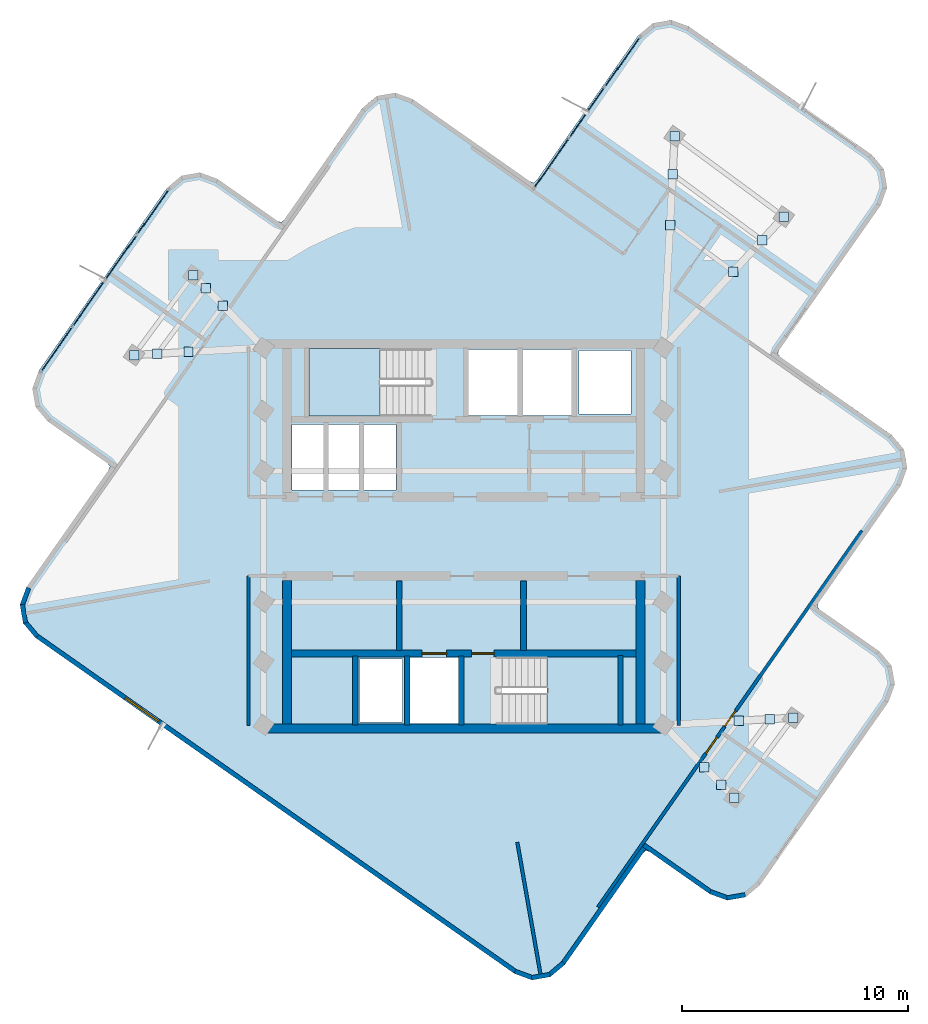
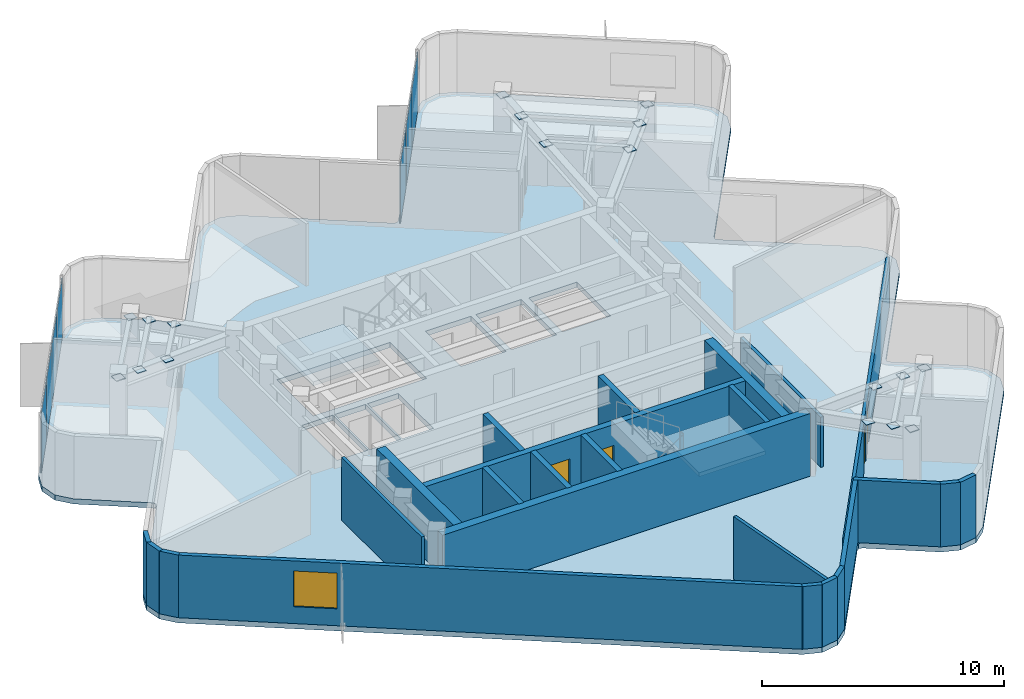
# One storey, part 5 of 9: 25 plates, 25 walls, 4 doors, 3 slabs, 1 window, 5 openings, 4 elements without a shape of their own.
"""IFC4 building model written with IfcOpenShell, lengths in metres."""

from ifc_helpers import new_model, si_unit, direction, frame, frame_2d, origin, origin_2d, place, context, subcontext, project, spatial, polyline, rectangle, outline, extrude, material, layer, layer_set, type_object, element, fill, aggregate, save


model = new_model("IFC4")

# Units and contexts
model_context = context("Model", 3, precision=1e-05, world=origin(), true_north=direction((0.0, 1.0)))
body_context = subcontext(model_context, "Body", "Model", "MODEL_VIEW")
ifc_project = project(units=[si_unit("LENGTHUNIT", "METRE"), si_unit("AREAUNIT", "SQUARE_METRE"), si_unit("VOLUMEUNIT", "CUBIC_METRE"), si_unit("PLANEANGLEUNIT", "RADIAN"), si_unit("MASSUNIT", "GRAM", prefix="KILO")], contexts=[model_context])

# Site, building, storey
site_placement = place(None, origin())
site = spatial("IfcSite", under=ifc_project, at=site_placement, CompositionType="ELEMENT")
building_placement = place(site_placement, origin())
building = spatial("IfcBuilding", under=site, at=building_placement, Name="Solmarez Civic Tower", CompositionType="ELEMENT")
storey_placement = place(building_placement, frame((0.0, 0.0, 268.02001953125)))
storey = spatial("IfcBuildingStorey", under=building, at=storey_placement, Name="L72", CompositionType="ELEMENT", Elevation=268.02001953125)

# Curtain wall, plates
ifc_material_1 = material(Name="Bronze Anodised Aluminium EN AW-6063 T6", Category="aluminium")
ifc_layer_1 = layer(ifc_material_1, 0.1650390625)
ifc_layer_set_1 = layer_set([ifc_layer_1], Name="Bronze Anodised Aluminium EN AW-6063 T6")
curtain_wall_type = type_object("IfcCurtainWallType", Name="CW-SYS-4", PredefinedType="NOTDEFINED", material=ifc_layer_set_1)
curtain_wall_1_placement = place(storey_placement, origin())
curtain_wall_1 = element("IfcCurtainWall", 1, at=curtain_wall_1_placement, inside=storey, type_object=curtain_wall_type, Name="L72 Stick-Built Curtain Wall 1", PredefinedType="NOTDEFINED")
ifc_material_2 = material(Name="Solar Control Low-E Laminated Vision Glass", Category="glass")
ifc_layer_2 = layer(ifc_material_2, 0.0400390625)
ifc_layer_set_2 = layer_set([ifc_layer_2], Name="Solar Control Low-E Laminated Vision Glass")
plate_type_1 = type_object("IfcPlateType", Name="CWP-GLAZ-40", PredefinedType="CURTAIN_PANEL", material=ifc_layer_set_2)
plate_1_placement = place(storey_placement, frame((-18.00732421875, 8.28466796875, 0.070068359375), z_axis=(0.0, 0.0, 1.0), x_axis=(0.574152054456, 0.818748690603, 0.0)))
plate_1 = element("IfcPlate", 2, at=plate_1_placement, type_object=plate_type_1, Name="CWS4 panel 1.1", PredefinedType="CURTAIN_PANEL", context=body_context, shape_type="SweptSolid", body=[
    extrude(rectangle(XDim=2.390625, YDim=0.0400390625, at=origin_2d()), origin(), (0.0, 0.0, 1.0), 3.02001953125),
])
plate_2_placement = place(storey_placement, frame((-16.591552734375, 10.303466796875, 0.070068359375), z_axis=(0.0, 0.0, 1.0), x_axis=(0.574152054456, 0.818748690603, 0.0)))
plate_2 = element("IfcPlate", 3, at=plate_2_placement, type_object=plate_type_1, Name="CWS4 panel 2.1", PredefinedType="CURTAIN_PANEL", context=body_context, shape_type="SweptSolid", body=[
    extrude(rectangle(XDim=2.420654296875, YDim=0.0400390625, at=origin_2d()), origin(), (0.0, 0.0, 1.0), 3.02001953125),
])
plate_3_placement = place(storey_placement, frame((-15.16748046875, 12.33447265625, 0.070068359375), z_axis=(0.0, 0.0, 1.0), x_axis=(0.574152054456, 0.818748690603, 0.0)))
plate_3 = element("IfcPlate", 4, at=plate_3_placement, type_object=plate_type_1, Name="CWS4 panel 3.1", PredefinedType="CURTAIN_PANEL", context=body_context, shape_type="SweptSolid", body=[
    extrude(rectangle(XDim=2.420654296875, YDim=0.0400390625, at=origin_2d()), origin(), (0.0, 0.0, 1.0), 3.02001953125),
])
plate_4_placement = place(storey_placement, frame((-13.751708984375, 14.353271484375, 0.070068359375), z_axis=(0.0, 0.0, 1.0), x_axis=(0.574152054456, 0.818748690603, 0.0)))
plate_4 = element("IfcPlate", 5, at=plate_4_placement, type_object=plate_type_1, Name="CWS4 panel 4.1", PredefinedType="CURTAIN_PANEL", context=body_context, shape_type="SweptSolid", body=[
    extrude(rectangle(XDim=2.390625, YDim=0.0400390625, at=origin_2d()), origin(), (0.0, 0.0, 1.0), 3.02001953125),
])
aggregate(curtain_wall_1, [plate_1, plate_2, plate_3, plate_4])

curtain_wall_2_placement = place(storey_placement, origin())
curtain_wall_2 = element("IfcCurtainWall", 6, at=curtain_wall_2_placement, inside=storey, type_object=curtain_wall_type, Name="L72 Stick-Built Curtain Wall 2", PredefinedType="NOTDEFINED")
plate_5_placement = place(storey_placement, frame((3.88916015625, 16.519775390625, 0.070068359375), z_axis=(0.0, 0.0, 1.0), x_axis=(0.574203208335, 0.818712816278, 0.0)))
plate_5 = element("IfcPlate", 7, at=plate_5_placement, type_object=plate_type_1, Name="CWS4 panel 1.1", PredefinedType="CURTAIN_PANEL", context=body_context, shape_type="SweptSolid", body=[
    extrude(rectangle(XDim=2.656982421875, YDim=0.0400390625, at=origin_2d()), origin(), (0.0, 0.0, 1.0), 3.02001953125),
])
plate_6_placement = place(storey_placement, frame((5.4580078125, 18.756591796875, 0.070068359375), z_axis=(0.0, 0.0, 1.0), x_axis=(0.574203208335, 0.818712816278, 0.0)))
plate_6 = element("IfcPlate", 8, at=plate_6_placement, type_object=plate_type_1, Name="CWS4 panel 2.1", PredefinedType="CURTAIN_PANEL", context=body_context, shape_type="SweptSolid", body=[
    extrude(rectangle(XDim=2.68701171875, YDim=0.0400390625, at=origin_2d()), origin(), (0.0, 0.0, 1.0), 3.02001953125),
])
plate_7_placement = place(storey_placement, frame((7.026611328125, 20.9931640625, 0.070068359375), z_axis=(0.0, 0.0, 1.0), x_axis=(0.574203208335, 0.818712816278, 0.0)))
plate_7 = element("IfcPlate", 9, at=plate_7_placement, type_object=plate_type_1, Name="CWS4 panel 3.1", PredefinedType="CURTAIN_PANEL", context=body_context, shape_type="SweptSolid", body=[
    extrude(rectangle(XDim=2.656982421875, YDim=0.0400390625, at=origin_2d()), origin(), (0.0, 0.0, 1.0), 3.02001953125),
])
aggregate(curtain_wall_2, [plate_5, plate_6, plate_7])

# Plates
ifc_material_3 = material(Name="Steel S355", Category="steel")
ifc_layer_3 = layer(ifc_material_3, 0.02392578125)
ifc_layer_set_3 = layer_set([ifc_layer_3], Name="Steel S355")
plate_type_2 = type_object("IfcPlateType", Name="PLT-CAP-380", PredefinedType="USERDEFINED", material=ifc_layer_set_3)
for number, where, z_axis, x_axis, name in (
    (10, (14.1689453125, 14.152099609375, 2.998046875), (0.0, 0.0, 1.0), (1.0, 0.0, 0.0), "Steel Member End Cap Plate CAP-BM-L72-EA-T1-0"),
    (11, (9.341064453125, 17.714111328125, 2.998046875), (0.0, 0.0, 1.0), (1.0, 0.0, 0.0), "Steel Member End Cap Plate CAP-BM-L72-EA-T1-1"),
    (12, (11.93505859375, 11.715087890625, 2.998046875), (0.0, 0.0, 1.0), (1.0, 0.0, 0.0), "Steel Member End Cap Plate CAP-JS-L72-EA-M11-0"),
    (13, (9.135009765625, 13.781005859375, 2.998046875), (0.0, 0.0, 1.0), (1.0, 0.0, 0.0), "Steel Member End Cap Plate CAP-JS-L72-EA-M11-1"),
    (14, (13.2119140625, 13.10791015625, 2.998046875), (0.0, 0.0, 1.0), (1.0, 0.0, 0.0), "Steel Member End Cap Plate CAP-JS-L72-EA-M12-0"),
    (15, (9.2529296875, 16.028076171875, 2.998046875), (0.0, 0.0, 1.0), (1.0, 0.0, 0.0), "Steel Member End Cap Plate CAP-JS-L72-EA-M12-1"),
    (16, (-11.970947265625, 11.56591796875, 2.998046875), (0.0, 0.0, 1.0), (1.0, 0.0, 0.0), "Steel Member End Cap Plate CAP-BM-L72-NA-T1-0"),
    (17, (-14.5830078125, 8.02587890625, 2.998046875), (0.0, 0.0, 1.0), (1.0, 0.0, 0.0), "Steel Member End Cap Plate CAP-BM-L72-NA-T1-1"),
    (18, (-10.659912109375, 10.215087890625, 2.998046875), (0.0, 0.0, 1.0), (1.0, 0.0, 0.0), "Steel Member End Cap Plate CAP-JS-L72-NA-M11-0"),
    (19, (-12.175048828125, 8.162109375, 2.998046875), (0.0, 0.0, 1.0), (1.0, 0.0, 0.0), "Steel Member End Cap Plate CAP-JS-L72-NA-M11-1"),
    (20, (-11.408935546875, 10.987060546875, 2.998046875), (0.0, 0.0, 1.0), (1.0, 0.0, 0.0), "Steel Member End Cap Plate CAP-JS-L72-NA-M12-0"),
    (21, (-13.551025390625, 8.083984375, 2.998046875), (0.0, 0.0, 1.0), (1.0, 0.0, 0.0), "Steel Member End Cap Plate CAP-JS-L72-NA-M12-1"),
    (22, (11.970947265625, -11.56591796875, 2.998046875), (0.0, 0.0, 1.0), (1.0, 0.0, 0.0), "Steel Member End Cap Plate CAP-BM-L72-SA-T1-0"),
    (23, (14.5830078125, -8.02587890625, 2.998046875), (0.0, 0.0, 1.0), (1.0, 0.0, 0.0), "Steel Member End Cap Plate CAP-BM-L72-SA-T1-1"),
    (24, (10.659912109375, -10.215087890625, 2.998046875), (0.0, 0.0, 1.0), (1.0, 0.0, 0.0), "Steel Member End Cap Plate CAP-JS-L72-SA-M11-0"),
    (25, (12.175048828125, -8.162109375, 2.998046875), (0.0, 0.0, 1.0), (1.0, 0.0, 0.0), "Steel Member End Cap Plate CAP-JS-L72-SA-M11-1"),
    (26, (11.408935546875, -10.987060546875, 2.998046875), (0.0, 0.0, 1.0), (1.0, 0.0, 0.0), "Steel Member End Cap Plate CAP-JS-L72-SA-M12-0"),
    (27, (13.551025390625, -8.083984375, 2.998046875), (0.0, 0.0, 1.0), (1.0, 0.0, 0.0), "Steel Member End Cap Plate CAP-JS-L72-SA-M12-1"),
):
    element("IfcPlate", number, at=place(storey_placement, frame(where, z_axis=z_axis, x_axis=x_axis)), inside=storey, type_object=plate_type_2, Name=name, ObjectType="CAP_PLATE", PredefinedType="USERDEFINED", context=body_context, shape_type="SweptSolid", body=[
        extrude(rectangle(XDim=0.419921875, YDim=0.419921875, at=origin_2d()), origin(), (0.0, 0.0, 1.0), 0.02392578125),
    ])

# Stair, slab
ifc_material_4 = material(Name="Concrete C50/60", Category="concrete")
stair_type = type_object("IfcStairType", Name="STAIR-DOGLEG-140W-18R-1900", PredefinedType="HALF_TURN_STAIR", material=ifc_material_4)
stair_1_placement = place(storey_placement, origin())
stair_1 = element("IfcStair", 28, at=stair_1_placement, inside=storey, type_object=stair_type, Name="L72 North Core Protected Exit Stair ST-1", PredefinedType="HALF_TURN_STAIR")
ifc_layer_4 = layer(ifc_material_4, 0.199951171875)
ifc_layer_set_4 = layer_set([ifc_layer_4], Name="Concrete C50/60")
slab_type_1 = type_object("IfcSlabType", Name="SLAB-LANDING-200", PredefinedType="LANDING", material=ifc_layer_set_4)
slab_1_placement = place(storey_placement, frame((0.0, 0.0, 1.510009765625)))
slab_1 = element("IfcSlab", 29, at=slab_1_placement, type_object=slab_type_1, Name="ST-1 landing 1", PredefinedType="LANDING", context=body_context, shape_type="SweptSolid", body=[
    extrude(outline(polyline([(-3.68994140625, 8.320068359375), (-6.85009765625, 8.320068359375), (-6.85009765625, 5.320068359375), (-3.68994140625, 5.320068359375), (-3.68994140625, 8.320068359375)])), origin(), (0.0, 0.0, 1.0), 0.199951171875),
])
aggregate(stair_1, [slab_1])

stair_2_placement = place(storey_placement, origin())
stair_2 = element("IfcStair", 30, at=stair_2_placement, inside=storey, type_object=stair_type, Name="L72 South Core Protected Exit Stair ST-2", PredefinedType="HALF_TURN_STAIR")
slab_2_placement = place(storey_placement, frame((0.0, 0.0, 1.510009765625)))
slab_2 = element("IfcSlab", 31, at=slab_2_placement, type_object=slab_type_1, Name="ST-2 landing 1", PredefinedType="LANDING", context=body_context, shape_type="SweptSolid", body=[
    extrude(outline(polyline([(3.68994140625, -8.320068359375), (6.85009765625, -8.320068359375), (6.85009765625, -5.320068359375), (3.68994140625, -5.320068359375), (3.68994140625, -8.320068359375)])), origin(), (0.0, 0.0, 1.0), 0.199951171875),
])
aggregate(stair_2, [slab_2])

# Slab
ifc_layer_5 = layer(ifc_material_4, 0.260009765625)
ifc_layer_set_5 = layer_set([ifc_layer_5], Name="Concrete C50/60")
slab_type_2 = type_object("IfcSlabType", Name="SLAB-TOWER-260", PredefinedType="FLOOR", material=ifc_layer_set_5)
slab_3_placement = place(storey_placement, frame((0.0, 0.0, -0.260009765625)))
element("IfcSlab", 32, at=slab_3_placement, inside=storey, type_object=slab_type_2, Name="L72 Structural Slab", PredefinedType="FLOOR", context=body_context, shape_type="SweptSolid", body=[
    extrude(outline(polyline([(8.239013671875, -13.9599609375), (10.89111328125, -15.820068359375), (11.6689453125, -16.10400390625), (12.485107421875, -15.9609375), (13.118896484375, -15.428955078125), (18.802978515625, -7.322998046875), (19.0869140625, -6.544921875), (18.944091796875, -5.72900390625), (18.412109375, -5.094970703125), (15.760009765625, -3.235107421875), (15.64892578125, -3.10302734375), (15.7080078125, -2.94091796875), (19.347900390625, 2.2490234375), (19.632080078125, 3.027099609375), (19.489013671875, 3.843017578125), (18.95703125, 4.47802734375), (14.011962890625, 7.945068359375), (13.90087890625, 8.076904296875), (13.9599609375, 8.239013671875), (18.4609375, 14.656982421875), (18.7451171875, 15.43505859375), (18.60205078125, 16.2509765625), (18.070068359375, 16.885986328125), (9.964111328125, 22.570068359375), (9.18603515625, 22.85400390625), (8.37109375, 22.7099609375), (7.736083984375, 22.177978515625), (3.235107421875, 15.760009765625), (3.10302734375, 15.64892578125), (2.94091796875, 15.7080078125), (-2.2490234375, 19.347900390625), (-3.027099609375, 19.632080078125), (-3.843017578125, 19.489013671875), (-4.47802734375, 18.95703125), (-7.945068359375, 14.011962890625), (-8.076904296875, 13.90087890625), (-8.239013671875, 13.9599609375), (-10.89111328125, 15.820068359375), (-11.6689453125, 16.10400390625), (-12.485107421875, 15.9609375), (-13.118896484375, 15.428955078125), (-18.802978515625, 7.322998046875), (-19.0869140625, 6.544921875), (-18.944091796875, 5.72900390625), (-18.412109375, 5.094970703125), (-15.760009765625, 3.235107421875), (-15.64892578125, 3.10302734375), (-15.7080078125, 2.94091796875), (-19.347900390625, -2.2490234375), (-19.632080078125, -3.027099609375), (-19.489013671875, -3.843017578125), (-18.95703125, -4.47802734375), (2.2490234375, -19.347900390625), (3.027099609375, -19.632080078125), (3.843017578125, -19.489013671875), (4.47802734375, -18.95703125), (7.945068359375, -14.011962890625), (8.076904296875, -13.90087890625), (8.239013671875, -13.9599609375)]), holes=[polyline([(-1.449951171875, 8.320068359375), (-6.85009765625, 8.320068359375), (-6.85009765625, 5.320068359375), (-1.449951171875, 5.320068359375), (-1.449951171875, 8.320068359375)]), polyline([(1.449951171875, -8.320068359375), (6.85009765625, -8.320068359375), (6.85009765625, -5.320068359375), (1.449951171875, -5.320068359375), (1.449951171875, -8.320068359375)]), polyline([(0.219970703125, 5.360107421875), (2.3798828125, 5.360107421875), (2.3798828125, 8.280029296875), (0.219970703125, 8.280029296875), (0.219970703125, 5.360107421875)]), polyline([(2.6201171875, 5.360107421875), (4.780029296875, 5.360107421875), (4.780029296875, 8.280029296875), (2.6201171875, 8.280029296875), (2.6201171875, 5.360107421875)]), polyline([(-2.3798828125, -8.280029296875), (-0.219970703125, -8.280029296875), (-0.219970703125, -5.360107421875), (-2.3798828125, -5.360107421875), (-2.3798828125, -8.280029296875)]), polyline([(-7.60009765625, 2.06005859375), (-6.1201171875, 2.06005859375), (-6.1201171875, 4.9599609375), (-7.60009765625, 4.9599609375), (-7.60009765625, 2.06005859375)]), polyline([(-6.0400390625, 2.06005859375), (-4.56005859375, 2.06005859375), (-4.56005859375, 4.9599609375), (-6.0400390625, 4.9599609375), (-6.0400390625, 2.06005859375)]), polyline([(-4.47998046875, 2.06005859375), (-3.0, 2.06005859375), (-3.0, 4.9599609375), (-4.47998046875, 4.9599609375), (-4.47998046875, 2.06005859375)]), polyline([(5.10009765625, 5.419921875), (7.39990234375, 5.419921875), (7.39990234375, 8.219970703125), (5.10009765625, 8.219970703125), (5.10009765625, 5.419921875)]), polyline([(-4.60009765625, -8.219970703125), (-2.699951171875, -8.219970703125), (-2.699951171875, -5.419921875), (-4.60009765625, -5.419921875), (-4.60009765625, -8.219970703125)])]), origin(), (0.0, 0.0, 1.0), 0.260009765625),
])

# Walls
ifc_layer_6 = layer(ifc_material_4, 0.39990234375)
ifc_layer_set_6 = layer_set([ifc_layer_6], Name="Concrete C50/60")
wall_type_1 = type_object("IfcWallType", Name="WALL-CORE-400", PredefinedType="SHEAR", material=ifc_layer_set_6)
wall_1_placement = place(storey_placement, frame((8.780029296875, -8.510009765625, 0.0), z_axis=(0.0, 0.0, 1.0), x_axis=(-1.0, 0.0, 0.0)))
element("IfcWall", 33, at=wall_1_placement, inside=storey, type_object=wall_type_1, Name="L72 Split-Core Structural Wall SCW-S-L72", PredefinedType="SHEAR", context=body_context, shape_type="SweptSolid", body=[
    extrude(rectangle(XDim=17.56005859375, YDim=0.39990234375, at=frame_2d((8.780029296875, 0.0))), origin(), (0.0, 0.0, 1.0), 3.159912109375),
])
for number, where, z_axis, x_axis, name in (
    (34, (-7.820068359375, -8.31005859375, 0.0), (0.0, 0.0, 1.0), (0.0, 1.0, 0.0), "L72 Split-Core Structural Wall SCW-W-L72"),
    (35, (7.820068359375, -1.949951171875, 0.0), (0.0, 0.0, 1.0), (0.0, -1.0, 0.0), "L72 Split-Core Structural Wall SCW-E-L72"),
):
    element("IfcWall", number, at=place(storey_placement, frame(where, z_axis=z_axis, x_axis=x_axis)), inside=storey, type_object=wall_type_1, Name=name, PredefinedType="SHEAR", context=body_context, shape_type="SweptSolid", body=[
        extrude(rectangle(XDim=6.360107421875, YDim=0.39990234375, at=frame_2d((3.18017578125, 0.0))), origin(), (0.0, 0.0, 1.0), 3.159912109375),
    ])
ifc_material_5 = material(Name="Precast concrete C40/50", Category="concrete")
ifc_layer_7 = layer(ifc_material_5, 0.199951171875)
ifc_layer_set_7 = layer_set([ifc_layer_7], Name="Precast concrete C40/50")
wall_type_2 = type_object("IfcWallType", Name="WALL-EXT-200", PredefinedType="SOLIDWALL", material=ifc_layer_set_7)
wall_2_placement = place(storey_placement, frame((8.087890625, -13.635009765625, 0.0), z_axis=(0.0, 0.0, 1.0), x_axis=(-0.574286279317, -0.818654548261, 0.0)))
element("IfcWall", 36, at=wall_2_placement, inside=storey, type_object=wall_type_2, Name="L72 Exterior Precast Wall 2", PredefinedType="SOLIDWALL", context=body_context, shape_type="SweptSolid", body=[
    extrude(rectangle(XDim=6.44091796875, YDim=0.199951171875, at=frame_2d((3.220458984375, 0.0))), origin(), (0.0, 0.0, 1.0), 3.159912109375),
])
wall_3_placement = place(storey_placement, frame((4.422119140625, -18.8720703125, 0.0), z_axis=(0.0, 0.0, 1.0), x_axis=(-0.766020352528, -0.642816318642, 0.0)))
element("IfcWall", 37, at=wall_3_placement, inside=storey, type_object=wall_type_2, Name="L72 Exterior Precast Wall 3", PredefinedType="SOLIDWALL", context=body_context, shape_type="SweptSolid", body=[
    extrude(rectangle(XDim=0.838134765625, YDim=0.199951171875, at=frame_2d((0.4189453125, 0.0))), origin(), (0.0, 0.0, 1.0), 3.159912109375),
])
wall_4_placement = place(storey_placement, frame((3.823974609375, -19.39111328125, 0.0), z_axis=(0.0, 0.0, 1.0), x_axis=(-0.985118245285, -0.171877988141, 0.0)))
element("IfcWall", 38, at=wall_4_placement, inside=storey, type_object=wall_type_2, Name="L72 Exterior Precast Wall 4", PredefinedType="SOLIDWALL", context=body_context, shape_type="SweptSolid", body=[
    extrude(rectangle(XDim=0.8251953125, YDim=0.199951171875, at=frame_2d((0.41259765625, 0.0))), origin(), (0.0, 0.0, 1.0), 3.159912109375),
])
wall_5_placement = place(storey_placement, frame((3.05908203125, -19.5380859375, 0.0), z_axis=(0.0, 0.0, 1.0), x_axis=(-0.938939131905, 0.344083284363, 0.0)))
element("IfcWall", 39, at=wall_5_placement, inside=storey, type_object=wall_type_2, Name="L72 Exterior Precast Wall 5", PredefinedType="SOLIDWALL", context=body_context, shape_type="SweptSolid", body=[
    extrude(rectangle(XDim=0.837158203125, YDim=0.199951171875, at=frame_2d((0.41845703125, 0.0))), origin(), (0.0, 0.0, 1.0), 3.159912109375),
])

# Wall, opening, window
wall_6_placement = place(storey_placement, frame((2.31591796875, -19.27294921875, 0.0), z_axis=(0.0, 0.0, 1.0), x_axis=(-0.81873650559, 0.574169430059, 0.0)))
wall_6 = element("IfcWall", 40, at=wall_6_placement, inside=storey, type_object=wall_type_2, Name="L72 Exterior Precast Wall 6", PredefinedType="SOLIDWALL", context=body_context, shape_type="SweptSolid", body=[
    extrude(rectangle(XDim=25.922607421875, YDim=0.199951171875, at=frame_2d((12.96142578125, 0.0))), origin(), (0.0, 0.0, 1.0), 3.159912109375),
])
opening_1_placement = place(wall_6_placement, frame((19.320068359375, 0.0, 0.85009765625)))
opening_1 = element("IfcOpeningElement", 41, at=opening_1_placement, cuts=wall_6, Name="Opening W-08", PredefinedType="OPENING", context=body_context, shape_type="SweptSolid", body=[
    extrude(rectangle(XDim=1.800048828125, YDim=1.800048828125, at=frame_2d((0.89990234375, 0.89990234375))), frame((0.0, 0.10986328125, 0.0), z_axis=(0.0, -1.0, 0.0), x_axis=(1.0, 0.0, 0.0)), (0.0, 0.0, 1.0), 0.219970703125),
])
ifc_material_6 = material(Name="Solar Control Bronze-Tinted Insulating Glass", Category="glass")
window_type = type_object("IfcWindowType", Name="WIN-1800X1800", PartitioningType="SINGLE_PANEL", PredefinedType="WINDOW", material=ifc_material_6)
window_placement = place(opening_1_placement, origin())
window = element("IfcWindow", 42, at=window_placement, inside=storey, type_object=window_type, Name="L72 Exterior Facade Window 6", OverallHeight=1.800048828125, OverallWidth=1.800048828125, PartitioningType="SINGLE_PANEL", PredefinedType="WINDOW", context=body_context, shape_type="SweptSolid", body=[
    extrude(rectangle(XDim=1.800048828125, YDim=1.800048828125, at=frame_2d((0.89990234375, 0.89990234375))), frame((0.0, 0.030029296875, 0.0), z_axis=(0.0, -1.0, 0.0), x_axis=(1.0, 0.0, 0.0)), (0.0, 0.0, 1.0), 0.06005859375),
])
fill(opening_1, window)

# Walls
wall_7_placement = place(storey_placement, frame((-18.8720703125, -4.422119140625, 0.0), z_axis=(0.0, 0.0, 1.0), x_axis=(-0.642816318642, 0.766020352528, 0.0)))
element("IfcWall", 43, at=wall_7_placement, inside=storey, type_object=wall_type_2, Name="L72 Exterior Precast Wall 7", PredefinedType="SOLIDWALL", context=body_context, shape_type="SweptSolid", body=[
    extrude(rectangle(XDim=0.838134765625, YDim=0.199951171875, at=frame_2d((0.4189453125, 0.0))), origin(), (0.0, 0.0, 1.0), 3.159912109375),
])
wall_8_placement = place(storey_placement, frame((-19.39111328125, -3.823974609375, 0.0), z_axis=(0.0, 0.0, 1.0), x_axis=(-0.171877988141, 0.985118245285, 0.0)))
element("IfcWall", 44, at=wall_8_placement, inside=storey, type_object=wall_type_2, Name="L72 Exterior Precast Wall 8", PredefinedType="SOLIDWALL", context=body_context, shape_type="SweptSolid", body=[
    extrude(rectangle(XDim=0.8251953125, YDim=0.199951171875, at=frame_2d((0.41259765625, 0.0))), origin(), (0.0, 0.0, 1.0), 3.159912109375),
])
wall_9_placement = place(storey_placement, frame((-19.5380859375, -3.05908203125, 0.0), z_axis=(0.0, 0.0, 1.0), x_axis=(0.344083284363, 0.938939131905, 0.0)))
element("IfcWall", 45, at=wall_9_placement, inside=storey, type_object=wall_type_2, Name="L72 Exterior Precast Wall 9", PredefinedType="SOLIDWALL", context=body_context, shape_type="SweptSolid", body=[
    extrude(rectangle(XDim=0.837158203125, YDim=0.199951171875, at=frame_2d((0.41845703125, 0.0))), origin(), (0.0, 0.0, 1.0), 3.159912109375),
])
wall_10_placement = place(storey_placement, frame((12.466064453125, -15.863037109375, 0.0), z_axis=(0.0, 0.0, 1.0), x_axis=(-0.985118245285, -0.171877988141, 0.0)))
element("IfcWall", 46, at=wall_10_placement, inside=storey, type_object=wall_type_2, Name="L72 Exterior Precast Wall 55", PredefinedType="SOLIDWALL", context=body_context, shape_type="SweptSolid", body=[
    extrude(rectangle(XDim=0.8251953125, YDim=0.199951171875, at=frame_2d((0.41259765625, 0.0))), origin(), (0.0, 0.0, 1.0), 3.159912109375),
])
wall_11_placement = place(storey_placement, frame((11.700927734375, -16.010009765625, 0.0), z_axis=(0.0, 0.0, 1.0), x_axis=(-0.939042573482, 0.343800880145, 0.0)))
element("IfcWall", 47, at=wall_11_placement, inside=storey, type_object=wall_type_2, Name="L72 Exterior Precast Wall 56", PredefinedType="SOLIDWALL", context=body_context, shape_type="SweptSolid", body=[
    extrude(rectangle(XDim=0.837890625, YDim=0.199951171875, at=frame_2d((0.4189453125, 0.0))), origin(), (0.0, 0.0, 1.0), 3.159912109375),
])
wall_12_placement = place(storey_placement, frame((10.95703125, -15.7451171875, 0.0), z_axis=(0.0, 0.0, 1.0), x_axis=(-0.818576054501, 0.574398157202, 0.0)))
element("IfcWall", 48, at=wall_12_placement, inside=storey, type_object=wall_type_2, Name="L72 Exterior Precast Wall 57", PredefinedType="SOLIDWALL", context=body_context, shape_type="SweptSolid", body=[
    extrude(rectangle(XDim=3.640380859375, YDim=0.199951171875, at=frame_2d((1.8203125, 0.0))), origin(), (0.0, 0.0, 1.0), 3.159912109375),
])
ifc_material_7 = material(Name="Gypsum Board Acoustic Steel-Stud Partition", Category="steel")
ifc_layer_8 = layer(ifc_material_7, 0.14990234375)
ifc_layer_set_8 = layer_set([ifc_layer_8], Name="Gypsum Board Acoustic Steel-Stud Partition")
wall_type_3 = type_object("IfcWallType", Name="WALL-INT-FIRE-150", PredefinedType="PARTITIONING", material=ifc_layer_set_8)
wall_13_placement = place(storey_placement, frame((-9.52001953125, -8.3798828125, 0.0), z_axis=(0.0, 0.0, 1.0), x_axis=(0.0, 1.0, 0.0)))
element("IfcWall", 49, at=wall_13_placement, inside=storey, type_object=wall_type_3, Name="L72 Interior Partition CHW-L72-WS1", PredefinedType="PARTITIONING", context=body_context, shape_type="SweptSolid", body=[
    extrude(rectangle(XDim=6.6298828125, YDim=0.14990234375, at=frame_2d((3.31494140625, 0.0))), origin(), (0.0, 0.0, 1.0), 3.159912109375),
])
wall_14_placement = place(storey_placement, frame((9.52001953125, -8.3798828125, 0.0), z_axis=(0.0, 0.0, 1.0), x_axis=(0.0, 1.0, 0.0)))
element("IfcWall", 50, at=wall_14_placement, inside=storey, type_object=wall_type_3, Name="L72 Interior Partition CHW-L72-ES1", PredefinedType="PARTITIONING", context=body_context, shape_type="SweptSolid", body=[
    extrude(rectangle(XDim=6.6298828125, YDim=0.14990234375, at=frame_2d((3.31494140625, 0.0))), origin(), (0.0, 0.0, 1.0), 2.530029296875),
])
ifc_layer_9 = layer(ifc_material_7, 0.14501953125)
ifc_layer_set_9 = layer_set([ifc_layer_9], Name="Gypsum Board Acoustic Steel-Stud Partition")
wall_type_4 = type_object("IfcWallType", Name="WALL-INT-PART-150", PredefinedType="PARTITIONING", material=ifc_layer_set_9)
wall_15_placement = place(storey_placement, frame((2.3779296875, -13.5400390625, 0.0), z_axis=(0.0, 0.0, 1.0), x_axis=(0.173019547247, -0.984918390665, 0.0)))
element("IfcWall", 51, at=wall_15_placement, inside=storey, type_object=wall_type_4, Name="L72 Interior Partition PT-L72-QDIV-3", PredefinedType="PARTITIONING", context=body_context, shape_type="SweptSolid", body=[
    extrude(rectangle(XDim=5.947509765625, YDim=0.14501953125, at=frame_2d((2.9736328125, 0.0))), origin(), (0.0, 0.0, 1.0), 3.159912109375),
])

# Wall, openings, doors
wall_16_placement = place(storey_placement, frame((17.625, 0.2451171875, 0.0), z_axis=(0.0, 0.0, 1.0), x_axis=(-0.574126736534, -0.818766444352, 0.0)))
wall_16 = element("IfcWall", 52, at=wall_16_placement, inside=storey, type_object=wall_type_4, Name="L72 Interior Partition PT-L72-S-ENT", PredefinedType="PARTITIONING", context=body_context, shape_type="SweptSolid", body=[
    extrude(rectangle(XDim=20.34033203125, YDim=0.14501953125, at=frame_2d((10.170166015625, 0.0))), origin(), (0.0, 0.0, 1.0), 2.530029296875),
])
opening_2_placement = place(wall_16_placement, frame((11.159912109375, 0.0, 0.0)))
opening_2 = element("IfcOpeningElement", 53, at=opening_2_placement, cuts=wall_16, Name="Opening D-14", PredefinedType="OPENING", context=body_context, shape_type="SweptSolid", body=[
    extrude(rectangle(XDim=0.860107421875, YDim=2.0400390625, at=frame_2d((0.43017578125, 1.02001953125))), frame((0.0, 0.08251953125, 0.0), z_axis=(0.0, -1.0, 0.0), x_axis=(1.0, 0.0, 0.0)), (0.0, 0.0, 1.0), 0.1650390625),
])
opening_3_placement = place(wall_16_placement, frame((9.719970703125, 0.0, 0.0)))
opening_3 = element("IfcOpeningElement", 54, at=opening_3_placement, cuts=wall_16, Name="Opening D-14", PredefinedType="OPENING", context=body_context, shape_type="SweptSolid", body=[
    extrude(rectangle(XDim=0.860107421875, YDim=2.0400390625, at=frame_2d((0.43017578125, 1.02001953125))), frame((0.0, 0.08251953125, 0.0), z_axis=(0.0, -1.0, 0.0), x_axis=(1.0, 0.0, 0.0)), (0.0, 0.0, 1.0), 0.1650390625),
])
ifc_material_8 = material(Name="Timber Storage and Pantry Door", Category="wood")
door_type_1 = type_object("IfcDoorType", Name="DOOR-INT-850", OperationType="NOTDEFINED", PredefinedType="DOOR", material=ifc_material_8)
door_1_placement = place(opening_2_placement, origin())
door_1 = element("IfcDoor", 55, at=door_1_placement, inside=storey, type_object=door_type_1, Name="L72 Executive Boardroom Second South Door", OperationType="SINGLE_SWING_RIGHT", OverallHeight=2.0400390625, OverallWidth=0.860107421875, PredefinedType="DOOR", context=body_context, shape_type="SweptSolid", body=[
    extrude(rectangle(XDim=0.860107421875, YDim=2.0400390625, at=frame_2d((0.43017578125, 1.02001953125))), frame((0.0, 0.02490234375, 0.0), z_axis=(0.0, -1.0, 0.0), x_axis=(1.0, 0.0, 0.0)), (0.0, 0.0, 1.0), 0.050048828125),
])
fill(opening_2, door_1)
door_2_placement = place(opening_3_placement, origin())
door_2 = element("IfcDoor", 56, at=door_2_placement, inside=storey, type_object=door_type_1, Name="L72 Security Control Room First South Door", OperationType="SINGLE_SWING_LEFT", OverallHeight=2.0400390625, OverallWidth=0.860107421875, PredefinedType="DOOR", context=body_context, shape_type="SweptSolid", body=[
    extrude(rectangle(XDim=0.860107421875, YDim=2.0400390625, at=frame_2d((0.43017578125, 1.02001953125))), frame((0.0, 0.02490234375, 0.0), z_axis=(0.0, -1.0, 0.0), x_axis=(1.0, 0.0, 0.0)), (0.0, 0.0, 1.0), 0.050048828125),
])
fill(opening_3, door_2)

ifc_layer_10 = layer(ifc_material_4, 0.300048828125)
ifc_layer_set_10 = layer_set([ifc_layer_10], Name="Concrete C50/60")
wall_type_5 = type_object("IfcWallType", Name="WALL-STR-300", PredefinedType="SOLIDWALL", material=ifc_layer_set_10)
wall_17_placement = place(storey_placement, frame((-7.6201171875, -5.179931640625, 0.0), z_axis=(0.0, 0.0, 1.0), x_axis=(1.0, 0.0, 0.0)))
wall_17 = element("IfcWall", 57, at=wall_17_placement, inside=storey, type_object=wall_type_5, Name="L72 Split-Core Structural Wall SCW-M-L72", PredefinedType="SOLIDWALL", context=body_context, shape_type="SweptSolid", body=[
    extrude(rectangle(XDim=15.240234375, YDim=0.300048828125, at=frame_2d((7.6201171875, 0.0))), origin(), (0.0, 0.0, 1.0), 3.159912109375),
])
opening_4_placement = place(wall_17_placement, frame((5.77001953125, 0.0, 0.0)))
opening_4 = element("IfcOpeningElement", 58, at=opening_4_placement, cuts=wall_17, Name="Opening LD-02", PredefinedType="OPENING", context=body_context, shape_type="SweptSolid", body=[
    extrude(rectangle(XDim=1.10009765625, YDim=2.14990234375, at=frame_2d((0.550048828125, 1.074951171875))), frame((0.0, 0.159912109375, 0.0), z_axis=(0.0, -1.0, 0.0), x_axis=(1.0, 0.0, 0.0)), (0.0, 0.0, 1.0), 0.320068359375),
])
opening_5_placement = place(wall_17_placement, frame((7.969970703125, 0.0, 0.0)))
opening_5 = element("IfcOpeningElement", 59, at=opening_5_placement, cuts=wall_17, Name="Opening D-05", PredefinedType="OPENING", context=body_context, shape_type="SweptSolid", body=[
    extrude(rectangle(XDim=1.0, YDim=2.10009765625, at=frame_2d((0.5, 1.050048828125))), frame((0.0, 0.159912109375, 0.0), z_axis=(0.0, -1.0, 0.0), x_axis=(1.0, 0.0, 0.0)), (0.0, 0.0, 1.0), 0.320068359375),
])
ifc_material_9 = material(Name="Fire-Rated Stairwell Exit Door", Category="wood")
door_type_2 = type_object("IfcDoorType", Name="DOOR-FD90-1000", OperationType="NOTDEFINED", PredefinedType="DOOR", material=ifc_material_9)
door_3_placement = place(opening_5_placement, origin())
door_3 = element("IfcDoor", 60, at=door_3_placement, inside=storey, type_object=door_type_2, Name="L72 South Exit Stair Door ST-2", OperationType="SINGLE_SWING_RIGHT", OverallHeight=2.10009765625, OverallWidth=1.0, PredefinedType="DOOR", context=body_context, shape_type="SweptSolid", body=[
    extrude(rectangle(XDim=1.0, YDim=2.10009765625, at=frame_2d((0.5, 1.050048828125))), frame((0.0, 0.02490234375, 0.0), z_axis=(0.0, -1.0, 0.0), x_axis=(1.0, 0.0, 0.0)), (0.0, 0.0, 1.0), 0.050048828125),
])
fill(opening_5, door_3)
ifc_material_10 = material(Name="Stainless Firefighting Lift Landing Sliding Door", Category="aluminium")
door_type_3 = type_object("IfcDoorType", Name="DOOR-LD-FF-1100", OperationType="DOUBLE_DOOR_SLIDING", PredefinedType="DOOR", material=ifc_material_10)
door_4_placement = place(opening_4_placement, origin())
door_4 = element("IfcDoor", 61, at=door_4_placement, inside=storey, type_object=door_type_3, Name="L72 Firefighting Lift Landing Door FFL-2", OperationType="DOUBLE_DOOR_SLIDING", OverallHeight=2.14990234375, OverallWidth=1.10009765625, PredefinedType="DOOR", context=body_context, shape_type="SweptSolid", body=[
    extrude(rectangle(XDim=1.10009765625, YDim=2.14990234375, at=frame_2d((0.550048828125, 1.074951171875))), frame((0.0, 0.02490234375, 0.0), z_axis=(0.0, -1.0, 0.0), x_axis=(1.0, 0.0, 0.0)), (0.0, 0.0, 1.0), 0.050048828125),
])
fill(opening_4, door_4)

# Walls
wall_18_placement = place(storey_placement, frame((6.949951171875, -8.340087890625, 0.0), z_axis=(0.0, 0.0, 1.0), x_axis=(0.0, 1.0, 0.0)))
element("IfcWall", 62, at=wall_18_placement, inside=storey, type_object=wall_type_5, Name="L72 Split-Core Structural Wall SHW-SE-L72", PredefinedType="SOLIDWALL", context=body_context, shape_type="SweptSolid", body=[
    extrude(rectangle(XDim=3.06005859375, YDim=0.219970703125, at=frame_2d((1.530029296875, 0.0))), origin(), (0.0, 0.0, 1.0), 3.159912109375),
])
for number, where, z_axis, x_axis, name in (
    (63, (-0.10009765625, -8.340087890625, 0.0), (0.0, 0.0, 1.0), (0.0, 1.0, 0.0), "L72 Split-Core Structural Wall SHW-S1-L72"),
    (64, (-2.5, -8.340087890625, 0.0), (0.0, 0.0, 1.0), (0.0, 1.0, 0.0), "L72 Split-Core Structural Wall SHW-S2-L72"),
    (65, (-4.800048828125, -8.340087890625, 0.0), (0.0, 0.0, 1.0), (0.0, 1.0, 0.0), "L72 Split-Core Structural Wall SHW-S3-L72"),
):
    element("IfcWall", number, at=place(storey_placement, frame(where, z_axis=z_axis, x_axis=x_axis)), inside=storey, type_object=wall_type_5, Name=name, PredefinedType="SOLIDWALL", context=body_context, shape_type="SweptSolid", body=[
        extrude(rectangle(XDim=3.0400390625, YDim=0.25, at=frame_2d((1.52001953125, 0.0))), origin(), (0.0, 0.0, 1.0), 3.159912109375),
    ])
for number, where, z_axis, x_axis, name in (
    (66, (-2.85009765625, -5.050048828125, 0.0), (0.0, 0.0, 1.0), (0.0, 1.0, 0.0), "L72 Split-Core Structural Wall SHW-SL1-L72"),
    (67, (2.64990234375, -5.050048828125, 0.0), (0.0, 0.0, 1.0), (0.0, 1.0, 0.0), "L72 Split-Core Structural Wall SHW-SL2-L72"),
):
    element("IfcWall", number, at=place(storey_placement, frame(where, z_axis=z_axis, x_axis=x_axis)), inside=storey, type_object=wall_type_5, Name=name, PredefinedType="SOLIDWALL", context=body_context, shape_type="SweptSolid", body=[
        extrude(rectangle(XDim=3.070068359375, YDim=0.25, at=frame_2d((1.53515625, 0.0))), origin(), (0.0, 0.0, 1.0), 3.159912109375),
    ])

save(model, "model.ifc")
